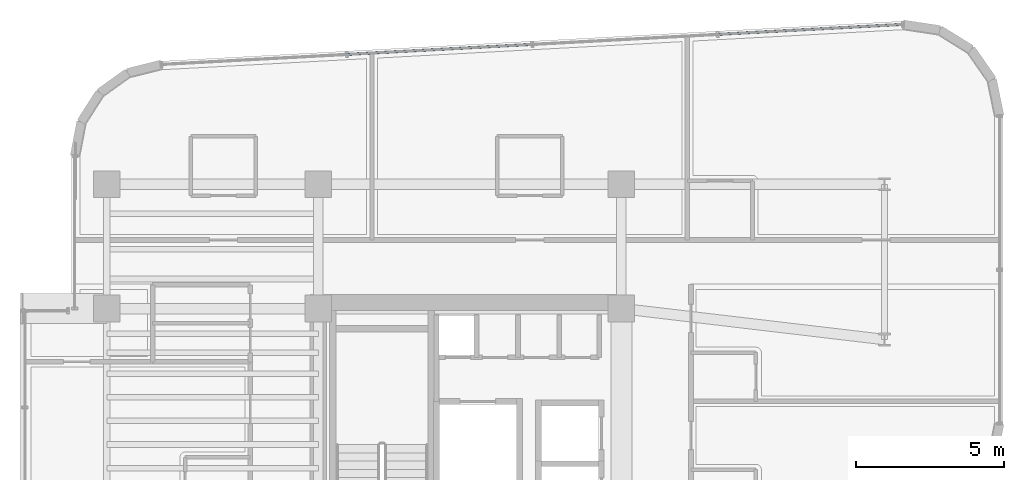
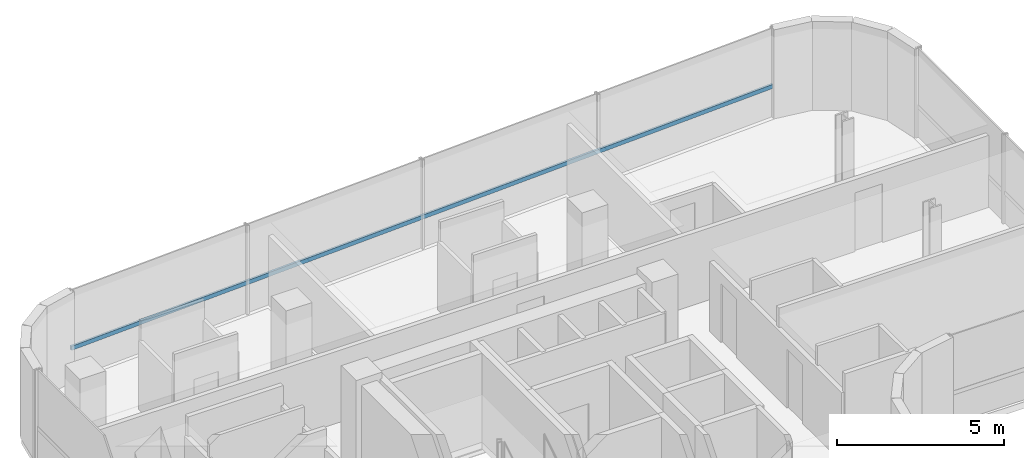
# One storey, part 13 of 22: 1 member, 1 element without a shape of its own.
"""IFC4 building model written with IfcOpenShell, lengths in metres."""

from ifc_helpers import new_model, si_unit, direction, frame, origin, origin_2d, place, context, subcontext, project, spatial, hollow_rectangle, extrude, source, transform, mapped, material, material_profile, profile_set, type_object, element, aggregate, save


model = new_model("IFC4")

# Units and contexts
model_context = context("Model", 3, precision=1e-05, world=origin(), true_north=direction((0.0, 1.0)))
body_context = subcontext(model_context, "Body", "Model", "MODEL_VIEW")
ifc_project = project(units=[si_unit("LENGTHUNIT", "METRE"), si_unit("AREAUNIT", "SQUARE_METRE"), si_unit("VOLUMEUNIT", "CUBIC_METRE"), si_unit("PLANEANGLEUNIT", "RADIAN"), si_unit("MASSUNIT", "GRAM", prefix="KILO")], contexts=[model_context])

# Site, building, storey
site_placement = place(None, origin())
site = spatial("IfcSite", under=ifc_project, at=site_placement, CompositionType="ELEMENT")
building_placement = place(site_placement, origin())
building = spatial("IfcBuilding", under=site, at=building_placement, Name="Valdorenza Pilgrim Sanctuary Tower", CompositionType="ELEMENT")
storey_placement = place(building_placement, frame((0.0, 0.0, 216.0)))
storey = spatial("IfcBuildingStorey", under=building, at=storey_placement, Name="L55", CompositionType="ELEMENT", Elevation=216.0)

# Curtain wall, member
ifc_material_1 = material(Name="Curtain-wall IGU glazing", Category="glass")
curtain_wall_type = type_object("IfcCurtainWallType", Name="CW-SYS-02", PredefinedType="NOTDEFINED", material=ifc_material_1)
curtain_wall_placement = place(storey_placement, origin())
curtain_wall = element("IfcCurtainWall", 1, at=curtain_wall_placement, inside=storey, type_object=curtain_wall_type, Name="L55 Curtain Wall CW-L55-1-6", PredefinedType="NOTDEFINED")
ifc_material_2 = material(Name="Anodised aluminium AW-6060", Category="aluminium")
ifc_material_profile = material_profile(ifc_material_2, hollow_rectangle(XDim=0.074951171875, YDim=0.14990234375, WallThickness=0.00390625, at=origin_2d()), Name="ALU-T 150x75x4")
ifc_profile_set = profile_set([ifc_material_profile], Name="Anodised aluminium AW-6060")
member_type = type_object("IfcMemberType", Name="CW-TRN-02", PredefinedType="USERDEFINED", material=ifc_profile_set)
shared_shape = source(origin(), body_context, "Body", "SweptSolid", [
    extrude(hollow_rectangle(XDim=0.074951171875, YDim=0.14990234375, WallThickness=0.00390625, at=origin_2d()), origin(), (0.0, 0.0, 1.0), 25.114990234375),
])
member_placement = place(storey_placement, frame((-27.9560546875, 18.85400390625, 1.1201171875), z_axis=(0.998546716184, 0.053893001378, 0.0), x_axis=(-0.053893001378, 0.998546716184, 0.0)))
member = element("IfcMember", 2, at=member_placement, type_object=member_type, Name="CW-L55-1-6 Transom 1", ObjectType="TRANSOM", PredefinedType="USERDEFINED", context=body_context, shape_type="MappedRepresentation", body=[
    mapped(shared_shape, transform((0.0, 0.0, 0.0), x_axis=(1.0, 0.0, 0.0), y_axis=(0.0, 1.0, 0.0), z_axis=(0.0, 0.0, 1.0), scale=1.0)),
])
aggregate(curtain_wall, [member])

save(model, "model.ifc")
